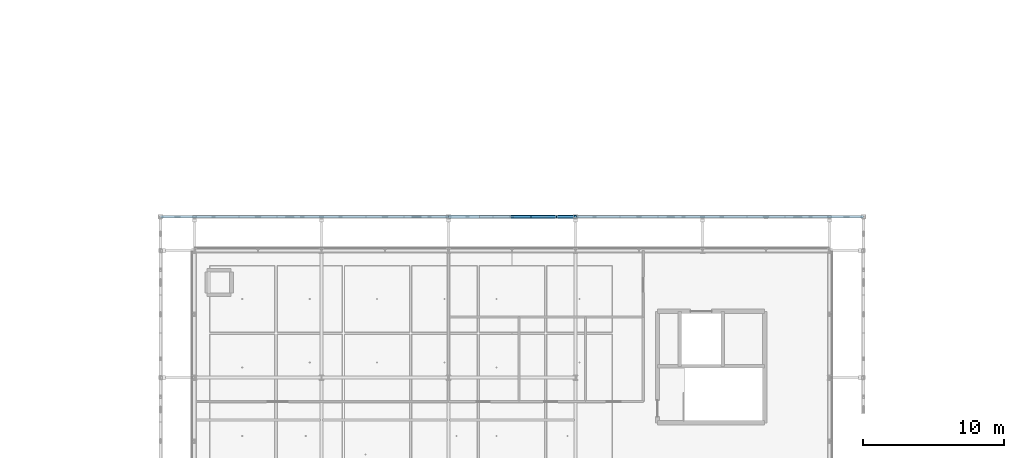
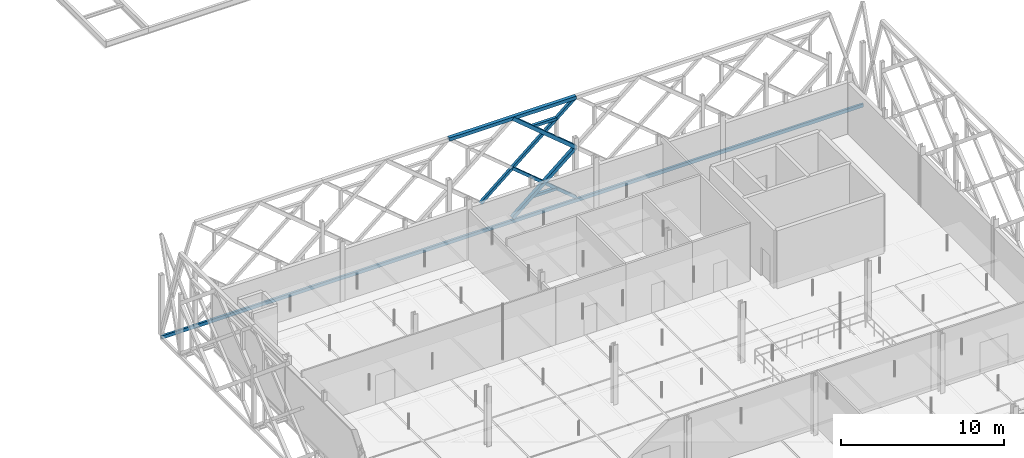
# One storey, part 25 of 66: 9 members, 1 beam.
"""IFC4 building model written with IfcOpenShell, lengths in metres."""

from ifc_helpers import new_model, si_unit, direction, frame, origin, origin_2d, place, context, subcontext, project, spatial, hollow_rectangle, extrude, material, material_profile, profile_set, type_object, element, save


model = new_model("IFC4")

# Units and contexts
model_context = context("Model", 3, precision=1e-05, world=origin(), true_north=direction((0.0, 1.0)))
body_context = subcontext(model_context, "Body", "Model", "MODEL_VIEW")
ifc_project = project(units=[si_unit("LENGTHUNIT", "METRE"), si_unit("AREAUNIT", "SQUARE_METRE"), si_unit("VOLUMEUNIT", "CUBIC_METRE"), si_unit("PLANEANGLEUNIT", "RADIAN"), si_unit("MASSUNIT", "GRAM", prefix="KILO"), si_unit("THERMODYNAMICTEMPERATUREUNIT", "KELVIN"), si_unit("POWERUNIT", "WATT")], contexts=[model_context])

# Site, building, storey
site_placement = place(None, origin())
site = spatial("IfcSite", under=ifc_project, at=site_placement, CompositionType="ELEMENT")
building_placement = place(site_placement, origin())
building = spatial("IfcBuilding", under=site, at=building_placement, Name="Tallowbark Science Centre", CompositionType="ELEMENT")
storey_placement = place(building_placement, frame((0.0, 0.0, 18.89990234375)))
storey = spatial("IfcBuildingStorey", under=building, at=storey_placement, Name="L04", CompositionType="ELEMENT", Elevation=18.89990234375)

# Members
ifc_material = material(Name="White Architectural Painted Steel Grade C350L0 (350 MPa)", Category="steel")
ifc_material_profile_1 = material_profile(ifc_material, hollow_rectangle(XDim=0.25, YDim=0.25, WallThickness=0.009033203125, at=origin_2d()), Name="250x250x9.0SHS")
ifc_profile_set_1 = profile_set([ifc_material_profile_1], Name="White Architectural Painted Steel Grade C350L0 (350 MPa)")
member_type_1 = type_object("IfcMemberType", Name="SCR-CHD200", PredefinedType="CHORD", material=ifc_profile_set_1)
member_1_placement = place(storey_placement, frame((76.5, 42.89990234375, 7.5), z_axis=(1.0, 0.0, 0.0), x_axis=(0.0, 1.0, 0.0)))
element("IfcMember", 1, at=member_1_placement, inside=storey, type_object=member_type_1, Name="Star Screen Frame Chord N-41", PredefinedType="CHORD", context=body_context, shape_type="SweptSolid", body=[
    extrude(hollow_rectangle(XDim=0.25, YDim=0.25, WallThickness=0.009033203125, at=origin_2d()), origin(), (0.0, 0.0, 1.0), 9.0),
])
for number, where, z_axis, x_axis, name in (
    (2, (81.0, 42.89990234375, 0.0), (0.768221279597, 0.0, 0.640184399664), (0.0, 1.0, 0.0), "Star Screen Octagram Diamond Chord N-41-1"),
    (3, (85.5, 42.89990234375, 3.75), (-0.768221279597, 0.0, 0.640184399664), (0.0, -1.0, 0.0), "Star Screen Octagram Diamond Chord N-41-2"),
):
    element("IfcMember", number, at=place(storey_placement, frame(where, z_axis=z_axis, x_axis=x_axis)), inside=storey, type_object=member_type_1, Name=name, PredefinedType="CHORD", context=body_context, shape_type="SweptSolid", body=[
        extrude(hollow_rectangle(XDim=0.25, YDim=0.25, WallThickness=0.009033203125, at=origin_2d()), origin(), (0.0, 0.0, 1.0), 5.857666015625),
    ])
ifc_material_profile_2 = material_profile(ifc_material, hollow_rectangle(XDim=0.199951171875, YDim=0.199951171875, WallThickness=0.009033203125, at=origin_2d()), Name="200x200x9.0SHS")
ifc_profile_set_2 = profile_set([ifc_material_profile_2], Name="White Architectural Painted Steel Grade C350L0 (350 MPa)")
member_type_2 = type_object("IfcMemberType", Name="SCR-STAR139", PredefinedType="BRACE", material=ifc_profile_set_2)
member_2_placement = place(storey_placement, frame((78.75, 42.89990234375, 1.875), z_axis=(0.768221279597, 0.0, 0.640184399664), x_axis=(0.0, 1.0, 0.0)))
element("IfcMember", 4, at=member_2_placement, inside=storey, type_object=member_type_2, Name="Star Screen Continuous X-Diagonal D1M N-41", PredefinedType="BRACE", context=body_context, shape_type="SweptSolid", body=[
    extrude(hollow_rectangle(XDim=0.199951171875, YDim=0.199951171875, WallThickness=0.009033203125, at=origin_2d()), origin(), (0.0, 0.0, 1.0), 5.857666015625),
])
for number, where, z_axis, x_axis, name in (
    (5, (83.25, 42.89990234375, 5.625), (0.768221279597, 0.0, 0.640184399664), (0.0, 1.0, 0.0), "Star Screen Continuous X-Diagonal D1B N-41"),
    (6, (81.0, 42.89990234375, 3.75), (0.768221279597, 0.0, -0.640184399664), (0.0, 1.0, 0.0), "Star Screen Split X-Diagonal D2C N-41"),
    (7, (83.25, 42.89990234375, 1.875), (0.768221279597, 0.0, -0.640184399664), (0.0, 1.0, 0.0), "Star Screen Split X-Diagonal D2D N-41"),
):
    element("IfcMember", number, at=place(storey_placement, frame(where, z_axis=z_axis, x_axis=x_axis)), inside=storey, type_object=member_type_2, Name=name, PredefinedType="BRACE", context=body_context, shape_type="SweptSolid", body=[
        extrude(hollow_rectangle(XDim=0.199951171875, YDim=0.199951171875, WallThickness=0.009033203125, at=origin_2d()), origin(), (0.0, 0.0, 1.0), 2.928955078125),
    ])
ifc_material_profile_3 = material_profile(ifc_material, hollow_rectangle(XDim=0.199951171875, YDim=0.199951171875, WallThickness=0.009033203125, at=origin_2d()), Name="200x200x9.0SHS")
ifc_profile_set_3 = profile_set([ifc_material_profile_3], Name="White Architectural Painted Steel Grade C350L0 (350 MPa)")
member_type_3 = type_object("IfcMemberType", Name="SCR-SUB150", PredefinedType="BRACE", material=ifc_profile_set_3)
for number, where, z_axis, x_axis, name in (
    (8, (84.14990234375, 42.89990234375, 1.125), (-1.0, 0.0, 0.0), (0.0, -1.0, 0.0), "Star Screen Octagram Point Ray N-41-3"),
    (9, (84.14990234375, 42.89990234375, 6.375), (-1.0, 0.0, 0.0), (0.0, -1.0, 0.0), "Star Screen Octagram Point Ray N-41-5"),
):
    element("IfcMember", number, at=place(storey_placement, frame(where, z_axis=z_axis, x_axis=x_axis)), inside=storey, type_object=member_type_3, Name=name, PredefinedType="BRACE", context=body_context, shape_type="SweptSolid", body=[
        extrude(hollow_rectangle(XDim=0.199951171875, YDim=0.199951171875, WallThickness=0.009033203125, at=origin_2d()), origin(), (0.0, 0.0, 1.0), 1.7998046875),
    ])

# Beam
ifc_material_profile_4 = material_profile(ifc_material, hollow_rectangle(XDim=0.14990234375, YDim=0.25, WallThickness=0.009033203125, at=origin_2d()), Name="250x150x9.0RHS")
ifc_profile_set_4 = profile_set([ifc_material_profile_4], Name="White Architectural Painted Steel Grade C350L0 (350 MPa)")
beam_type = type_object("IfcBeamType", Name="SPN-RHS250", PredefinedType="SPANDREL", material=ifc_profile_set_4)
beam_placement = place(storey_placement, frame((56.10009765625, 42.89990234375, -0.25), z_axis=(1.0, 0.0, 0.0), x_axis=(0.0, 1.0, 0.0)))
element("IfcBeam", 10, at=beam_placement, inside=storey, type_object=beam_type, Name="Star Screen Perimeter Ring Beam N-L04", PredefinedType="SPANDREL", context=body_context, shape_type="SweptSolid", body=[
    extrude(hollow_rectangle(XDim=0.14990234375, YDim=0.25, WallThickness=0.009033203125, at=origin_2d()), origin(), (0.0, 0.0, 1.0), 49.7998046875),
])

save(model, "model.ifc")
